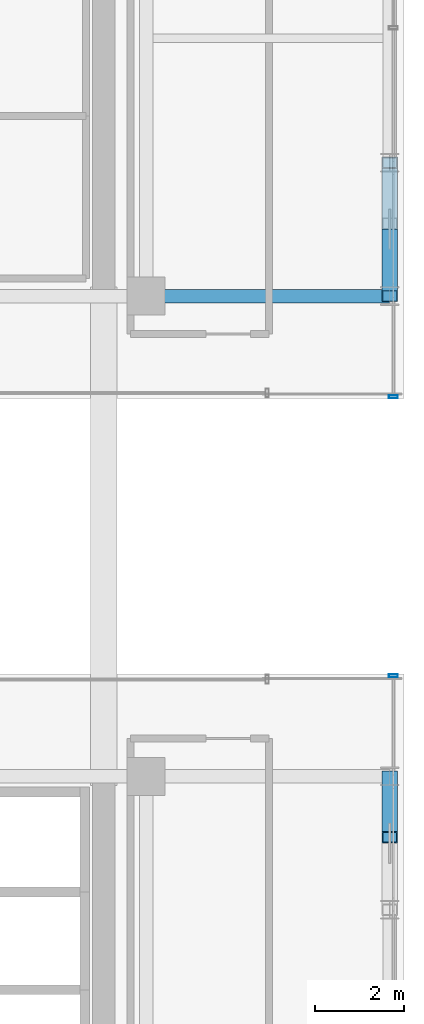
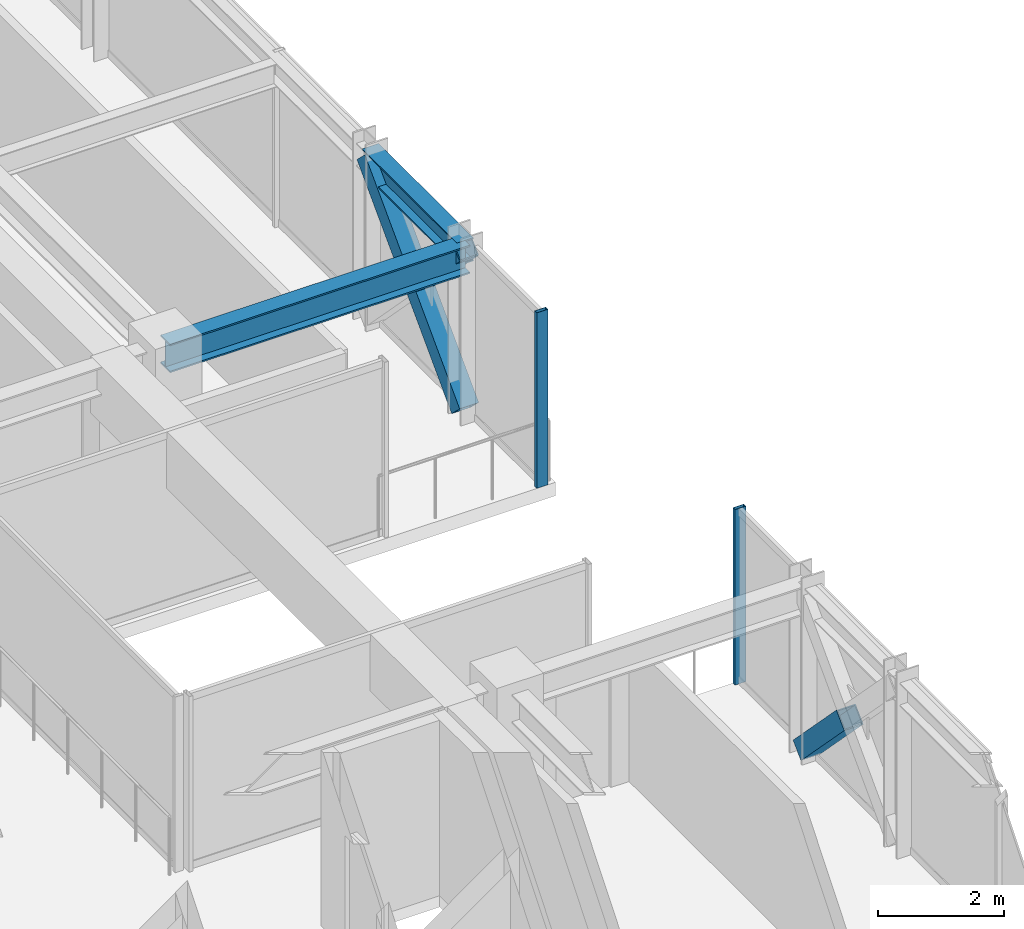
# One storey, part 19 of 37: 5 members, 2 beams, 2 elements without a shape of their own.
"""IFC4 building model written with IfcOpenShell, lengths in metres."""

from ifc_helpers import new_model, si_unit, direction, frame, origin, origin_2d, place, context, subcontext, project, spatial, hollow_rectangle, i_section, extrude, source, transform, mapped, material, material_profile, profile_set, type_object, element, aggregate, save


model = new_model("IFC4")

# Units and contexts
model_context = context("Model", 3, precision=1e-05, world=origin(), true_north=direction((0.0, 1.0)))
body_context = subcontext(model_context, "Body", "Model", "MODEL_VIEW")
ifc_project = project(units=[si_unit("LENGTHUNIT", "METRE"), si_unit("AREAUNIT", "SQUARE_METRE"), si_unit("VOLUMEUNIT", "CUBIC_METRE"), si_unit("PLANEANGLEUNIT", "RADIAN"), si_unit("MASSUNIT", "GRAM", prefix="KILO")], contexts=[model_context])

# Site, building, storey
site_placement = place(None, origin())
site = spatial("IfcSite", under=ifc_project, at=site_placement, CompositionType="ELEMENT")
building_placement = place(site_placement, origin())
building = spatial("IfcBuilding", under=site, at=building_placement, Name="Nahalor Promenade Grand Hotel", CompositionType="ELEMENT")
storey_placement = place(building_placement, frame((0.0, 0.0, 167.25)))
storey = spatial("IfcBuildingStorey", under=building, at=storey_placement, Name="L42", CompositionType="ELEMENT", Elevation=167.25)

# Beams
ifc_material_1 = material(Name="Steel S355JR", Category="steel")
ifc_material_profile_1 = material_profile(ifc_material_1, i_section(OverallWidth=0.3, OverallDepth=0.55, WebThickness=0.015, FlangeThickness=0.029, at=origin_2d()), Name="HEB 550")
ifc_profile_set_1 = profile_set([ifc_material_profile_1], Name="Steel S355JR")
beam_type_1 = type_object("IfcBeamType", Name="Beam-Girder-HEB550", PredefinedType="BEAM", material=ifc_profile_set_1)
shared_shape_1 = source(origin(), body_context, "Body", "SweptSolid", [
    extrude(i_section(OverallWidth=0.3, OverallDepth=0.55, WebThickness=0.015, FlangeThickness=0.029, at=origin_2d()), origin(), (0.0, 0.0, 1.0), 5.47998046875),
])
beam_1_placement = place(storey_placement, frame((17.0, 5.39990234375, 3.114990234375), z_axis=(1.0, 0.0, 0.0), x_axis=(0.0, 1.0, 0.0)))
element("IfcBeam", 1, at=beam_1_placement, inside=storey, type_object=beam_type_1, Name="BM-L42-GX-2-6", PredefinedType="BEAM", context=body_context, shape_type="MappedRepresentation", body=[
    mapped(shared_shape_1, transform((0.0, 0.0, 0.0), scale=1.0)),
])
ifc_material_profile_2 = material_profile(ifc_material_1, i_section(OverallWidth=0.3, OverallDepth=0.45, WebThickness=0.014, FlangeThickness=0.026, at=origin_2d()), Name="HEB 450")
ifc_profile_set_2 = profile_set([ifc_material_profile_2], Name="Steel S355JR")
beam_type_2 = type_object("IfcBeamType", Name="Beam-Spandrel-HEB450", PredefinedType="SPANDREL", material=ifc_profile_set_2)
shared_shape_2 = source(origin(), body_context, "Body", "SweptSolid", [
    extrude(i_section(OverallWidth=0.3, OverallDepth=0.45, WebThickness=0.014, FlangeThickness=0.026, at=origin_2d()), origin(), (0.0, 0.0, 1.0), 3.0),
])
beam_2_placement = place(storey_placement, frame((22.47998046875, 5.39990234375, 3.1650390625), z_axis=(0.0, 1.0, 0.0), x_axis=(-1.0, 0.0, 0.0)))
element("IfcBeam", 2, at=beam_2_placement, inside=storey, type_object=beam_type_2, Name="BM-L42-SP-E-3", PredefinedType="SPANDREL", context=body_context, shape_type="MappedRepresentation", body=[
    mapped(shared_shape_2, transform((0.0, 0.0, 0.0), scale=1.0)),
])

# Members
ifc_material_profile_3 = material_profile(ifc_material_1, hollow_rectangle(XDim=0.35, YDim=0.35, WallThickness=0.02, at=origin_2d()), Name="SHS 350x350x20")
ifc_profile_set_3 = profile_set([ifc_material_profile_3], Name="Steel S355JR")
member_type_1 = type_object("IfcMemberType", Name="Mem-VoidBrace-SHS350", PredefinedType="BRACE", material=ifc_profile_set_3)
shared_shape_3 = source(origin(), body_context, "Body", "SweptSolid", [
    extrude(hollow_rectangle(XDim=0.35, YDim=0.35, WallThickness=0.02, at=origin_2d()), origin(), (0.0, 0.0, 1.0), 4.306884765625),
])
member_1_placement = place(storey_placement, frame((22.47998046875, 5.39990234375, 0.14990234375), z_axis=(0.0, 0.696570665899, 0.717488193219), x_axis=(-1.0, 0.0, 0.0)))
element("IfcMember", 3, at=member_1_placement, inside=storey, type_object=member_type_1, Name="EXO-L42-VX1-E1", PredefinedType="BRACE", context=body_context, shape_type="MappedRepresentation", body=[
    mapped(shared_shape_3, transform((0.0, 0.0, 0.0), scale=1.0)),
])
shared_shape_4 = source(origin(), body_context, "Body", "SweptSolid", [
    extrude(hollow_rectangle(XDim=0.35, YDim=0.35, WallThickness=0.02, at=origin_2d()), origin(), (0.0, 0.0, 1.0), 1.966552734375),
])
for number, where, z_axis, x_axis, name in (
    (4, (22.47998046875, -5.39990234375, 0.14990234375), (0.0, -0.696601340579, 0.71745841155), (1.0, 0.0, 0.0), "EXO-L42-VX2-E0A"),
    (5, (22.47998046875, 6.769775390625, 1.8291015625), (0.0, -0.696601340579, 0.71745841155), (1.0, 0.0, 0.0), "EXO-L42-VX2-E1B"),
):
    element("IfcMember", number, at=place(storey_placement, frame(where, z_axis=z_axis, x_axis=x_axis)), inside=storey, type_object=member_type_1, Name=name, PredefinedType="BRACE", context=body_context, shape_type="MappedRepresentation", body=[
        mapped(shared_shape_4, transform((0.0, 0.0, 0.0), scale=1.0)),
    ])

# Curtain wall, member
ifc_material_2 = material(Name="Anodised Bronze Aluminium EN AW-6063 T6", Category="aluminium")
curtain_wall_type = type_object("IfcCurtainWallType", Name="CW3 Elliptical-Void Collar Unitised Curtain Wall", PredefinedType="USERDEFINED", material=ifc_material_2)
curtain_wall_1_placement = place(storey_placement, origin())
curtain_wall_1 = element("IfcCurtainWall", 6, at=curtain_wall_1_placement, inside=storey, type_object=curtain_wall_type, Name="L42 Curtain Wall CW-L42-E-1", ObjectType="UNITISED_CURTAIN_WALL", PredefinedType="USERDEFINED")
ifc_material_profile_4 = material_profile(ifc_material_2, hollow_rectangle(XDim=0.07, YDim=0.2, WallThickness=0.005, at=origin_2d()), Name="CWM 70x200x5")
ifc_profile_set_4 = profile_set([ifc_material_profile_4], Name="Anodised Bronze Aluminium EN AW-6063 T6")
member_type_2 = type_object("IfcMemberType", Name="CWM3 Void Collar Mullion 70x200", PredefinedType="MULLION", material=ifc_profile_set_4)
shared_shape_5 = source(origin(), body_context, "Body", "SweptSolid", [
    extrude(hollow_rectangle(XDim=0.07, YDim=0.2, WallThickness=0.005, at=origin_2d()), origin(), (0.0, 0.0, 1.0), 3.389892578125),
])
member_2_placement = place(storey_placement, frame((22.56005859375, -3.135009765625, 0.0), z_axis=(0.0, 0.0, 1.0), x_axis=(0.0, 1.0, 0.0)))
member_2 = element("IfcMember", 7, at=member_2_placement, type_object=member_type_2, Name="CW-L42-E-1 Mullion 2", PredefinedType="MULLION", context=body_context, shape_type="MappedRepresentation", body=[
    mapped(shared_shape_5, transform((0.0, 0.0, 0.0), scale=1.0)),
])
aggregate(curtain_wall_1, [member_2])

curtain_wall_2_placement = place(storey_placement, origin())
curtain_wall_2 = element("IfcCurtainWall", 8, at=curtain_wall_2_placement, inside=storey, type_object=curtain_wall_type, Name="L42 Curtain Wall CW-L42-E-2", ObjectType="UNITISED_CURTAIN_WALL", PredefinedType="USERDEFINED")
member_3_placement = place(storey_placement, frame((22.56005859375, 3.135009765625, 0.0), z_axis=(0.0, 0.0, 1.0), x_axis=(0.0, 1.0, 0.0)))
member_3 = element("IfcMember", 9, at=member_3_placement, type_object=member_type_2, Name="CW-L42-E-2 Mullion 0", PredefinedType="MULLION", context=body_context, shape_type="MappedRepresentation", body=[
    mapped(shared_shape_5, transform((0.0, 0.0, 0.0), scale=1.0)),
])
aggregate(curtain_wall_2, [member_3])

save(model, "model.ifc")
